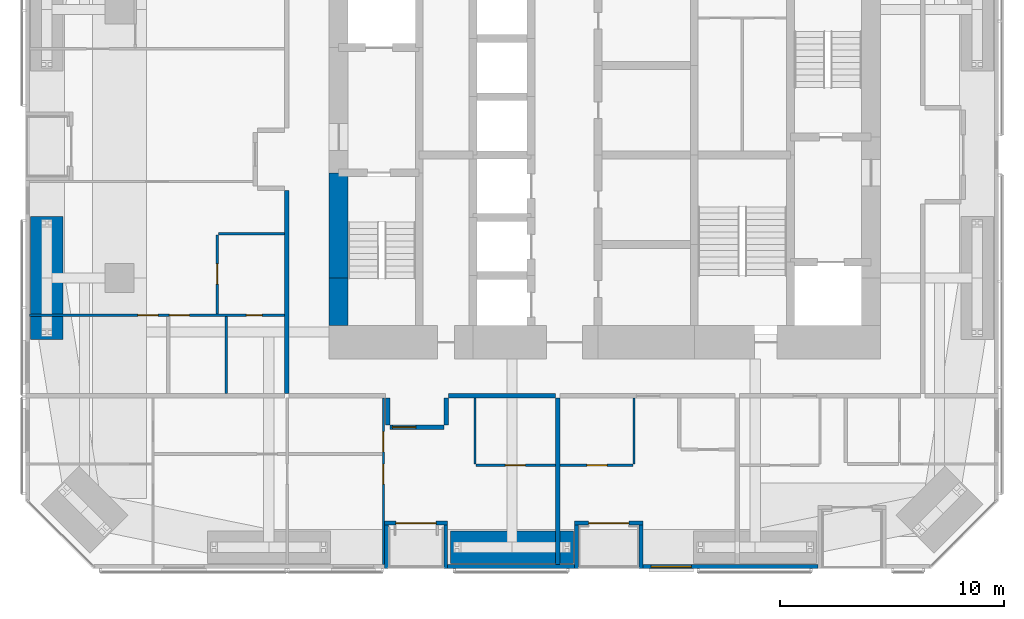
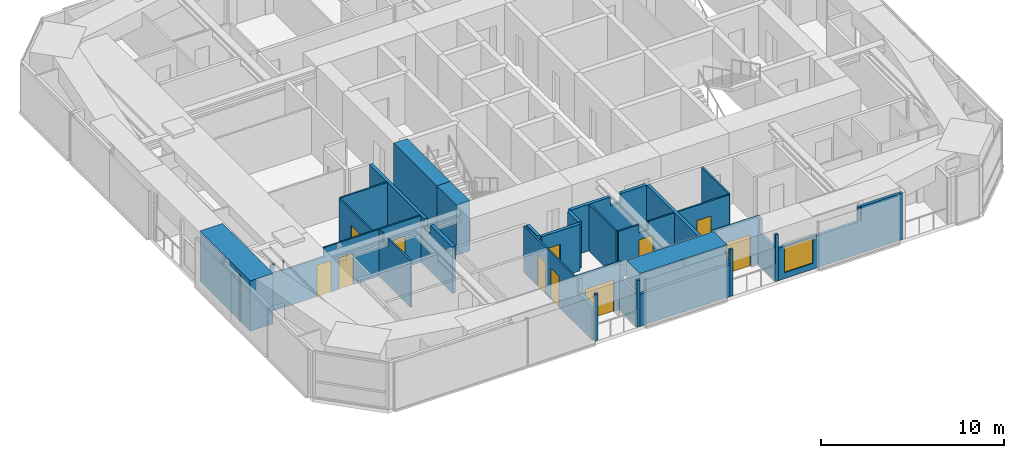
# One storey, part 17 of 24: 27 walls, 11 doors, 1 window, 12 openings.
"""IFC4 building model written with IfcOpenShell, lengths in metres."""

from ifc_helpers import new_model, si_unit, direction, frame, frame_2d, origin, place, context, subcontext, project, spatial, polyline, rectangle, outline, extrude, material, layer, layer_set, constituent, constituent_set, type_object, element, fill, save


model = new_model("IFC4")

# Units and contexts
model_context = context("Model", 3, precision=1e-05, world=origin(), true_north=direction((0.0, 1.0)))
body_context = subcontext(model_context, "Body", "Model", "MODEL_VIEW")
ifc_project = project(units=[si_unit("LENGTHUNIT", "METRE"), si_unit("AREAUNIT", "SQUARE_METRE"), si_unit("VOLUMEUNIT", "CUBIC_METRE"), si_unit("PLANEANGLEUNIT", "RADIAN"), si_unit("MASSUNIT", "GRAM", prefix="KILO")], contexts=[model_context])

# Site, building, storey
site_placement = place(None, origin())
site = spatial("IfcSite", under=ifc_project, at=site_placement, CompositionType="ELEMENT")
building_placement = place(site_placement, origin())
building = spatial("IfcBuilding", under=site, at=building_placement, Name="Jalousie Tower", CompositionType="ELEMENT")
storey_placement = place(building_placement, frame((0.0, 0.0, 91.449951171875)))
storey = spatial("IfcBuildingStorey", under=building, at=storey_placement, Name="L24", CompositionType="ELEMENT", Elevation=91.449951171875)

# Walls
ifc_material_1 = material(Name="Concrete f'c 120 MPa", Category="concrete")
ifc_layer_1 = layer(ifc_material_1, 0.85009765625)
ifc_layer_set_1 = layer_set([ifc_layer_1], Name="Concrete f'c 120 MPa")
wall_type_1 = type_object("IfcWallType", Name="CORE WALL 850", PredefinedType="SHEAR", material=ifc_layer_set_1)
wall_1_placement = place(storey_placement, frame((20.0, 17.699951171875, 0.0), z_axis=(0.0, 0.0, 1.0), x_axis=(0.0, -1.0, 0.0)))
element("IfcWall", 1, at=wall_1_placement, inside=storey, type_object=wall_type_1, Name="Core wall WC L24", PredefinedType="SHEAR", context=body_context, shape_type="SweptSolid", body=[
    extrude(rectangle(XDim=4.699951171875, YDim=0.85009765625, at=frame_2d((2.35009765625, 0.0))), origin(), (0.0, 0.0, 1.0), 3.35009765625),
])
wall_2_placement = place(storey_placement, frame((20.0, 13.0, 0.0), z_axis=(0.0, 0.0, 1.0), x_axis=(0.0, -1.0, 0.0)))
element("IfcWall", 2, at=wall_2_placement, inside=storey, type_object=wall_type_1, Name="Core wall WD L24", PredefinedType="SHEAR", context=body_context, shape_type="SweptSolid", body=[
    extrude(rectangle(XDim=2.125, YDim=0.85009765625, at=frame_2d((1.0625, 0.0))), origin(), (0.0, 0.0, 1.0), 3.35009765625),
])
ifc_material_2 = material(Name="Concrete block ASTM C90", Category="concrete")
ifc_constituent_1 = constituent(ifc_material_2, Name="Body")
ifc_material_3 = material(Name="Render")
ifc_constituent_2 = constituent(ifc_material_3, Name="Finish")
ifc_constituent_set_1 = constituent_set(constituents=[ifc_constituent_1, ifc_constituent_2])
wall_type_2 = type_object("IfcWallType", Name="CORRIDOR WALL 200", PredefinedType="PARTITIONING", material=ifc_constituent_set_1)
wall_3_placement = place(storey_placement, frame((17.675048828125, 7.824951171875, 0.0), z_axis=(0.0, 0.0, 1.0), x_axis=(0.0, 1.0, 0.0)))
element("IfcWall", 3, at=wall_3_placement, inside=storey, type_object=wall_type_2, Name="Corridor Wall 200 L24", PredefinedType="PARTITIONING", context=body_context, shape_type="SweptSolid", body=[
    extrude(outline(polyline([(0.0, 0.0), (9.074951171875, 0.0), (9.074951171875, 3.110107421875), (3.08740234375, 3.110107421875), (3.08740234375, 2.541015625), (2.41259765625, 2.541015625), (2.41259765625, 3.110107421875), (0.0, 3.110107421875), (0.0, 0.0)])), frame((0.0, 0.10009765625, 0.0), z_axis=(0.0, -1.0, 0.0), x_axis=(1.0, 0.0, 0.0)), (0.0, 0.0, 1.0), 0.199951171875),
])
wall_4_placement = place(storey_placement, frame((24.89990234375, 7.72509765625, 0.0), z_axis=(0.0, 0.0, 1.0), x_axis=(1.0, 0.0, 0.0)))
element("IfcWall", 4, at=wall_4_placement, inside=storey, type_object=wall_type_2, Name="Corridor Wall 200 L24", PredefinedType="PARTITIONING", context=body_context, shape_type="SweptSolid", body=[
    extrude(outline(polyline([(0.0, 0.0), (4.800048828125, 0.0), (4.800048828125, 3.110107421875), (3.187255859375, 3.110107421875), (3.187255859375, 2.541015625), (2.5126953125, 2.541015625), (2.5126953125, 3.110107421875), (0.0, 3.110107421875), (0.0, 0.0)])), frame((0.0, 0.10009765625, 0.0), z_axis=(0.0, -1.0, 0.0), x_axis=(1.0, 0.0, 0.0)), (0.0, 0.0, 1.0), 0.199951171875),
])

# Wall, opening, door
wall_5_placement = place(storey_placement, frame((22.300048828125, 6.324951171875, 0.0), z_axis=(0.0, 0.0, 1.0), x_axis=(1.0, 0.0, 0.0)))
wall_5 = element("IfcWall", 5, at=wall_5_placement, inside=storey, type_object=wall_type_2, Name="Corridor Wall 200 L24", PredefinedType="PARTITIONING", context=body_context, shape_type="SweptSolid", body=[
    extrude(rectangle(XDim=2.39990234375, YDim=0.199951171875, at=frame_2d((1.199951171875, 0.0))), origin(), (0.0, 0.0, 1.0), 3.110107421875),
])
opening_1_placement = place(wall_5_placement, frame((0.10009765625, 0.0, 0.0)))
opening_1 = element("IfcOpeningElement", 6, at=opening_1_placement, cuts=wall_5, Name="Opening D1", PredefinedType="OPENING", context=body_context, shape_type="SweptSolid", body=[
    extrude(rectangle(XDim=1.050048828125, YDim=2.199951171875, at=frame_2d((0.52490234375, 1.10009765625))), frame((0.0, 0.10986328125, 0.0), z_axis=(0.0, -1.0, 0.0), x_axis=(1.0, 0.0, 0.0)), (0.0, 0.0, 1.0), 0.219970703125),
])
ifc_material_4 = material(Name="Timber fire door", Category="wood")
door_type_1 = type_object("IfcDoorType", Name="APARTMENT ENTRANCE DOOR 1050", OperationType="SINGLE_SWING_LEFT", PredefinedType="DOOR", material=ifc_material_4)
door_1_placement = place(opening_1_placement, frame((1.050048828125, 0.0, 0.0), z_axis=(0.0, 0.0, 1.0), x_axis=(-1.0, 0.0, 0.0)))
door_1 = element("IfcDoor", 7, at=door_1_placement, inside=storey, type_object=door_type_1, Name="Apartment 2401 entrance", OperationType="SINGLE_SWING_RIGHT", OverallHeight=2.199951171875, OverallWidth=1.050048828125, PredefinedType="DOOR", context=body_context, shape_type="SweptSolid", body=[
    extrude(rectangle(XDim=1.050048828125, YDim=2.199951171875, at=frame_2d((0.52490234375, 1.10009765625))), frame((0.0, 0.02490234375, 0.0), z_axis=(0.0, -1.0, 0.0), x_axis=(1.0, 0.0, 0.0)), (0.0, 0.0, 1.0), 0.050048828125),
])
fill(opening_1, door_1)

# Walls
for number, where, z_axis, x_axis, name in (
    (8, (22.199951171875, 7.625, 0.0), (0.0, 0.0, 1.0), (0.0, -1.0, 0.0), "Corridor Wall 200 L24"),
    (9, (24.800048828125, 7.625, 0.0), (0.0, 0.0, 1.0), (0.0, -1.0, 0.0), "Corridor Wall 200 L24"),
):
    element("IfcWall", number, at=place(storey_placement, frame(where, z_axis=z_axis, x_axis=x_axis)), inside=storey, type_object=wall_type_2, Name=name, PredefinedType="PARTITIONING", context=body_context, shape_type="SweptSolid", body=[
        extrude(rectangle(XDim=1.199951171875, YDim=0.199951171875, at=frame_2d((0.60009765625, 0.0))), origin(), (0.0, 0.0, 1.0), 3.110107421875),
    ])
ifc_material_5 = material(Name="Concrete f'c 40 MPa", Category="concrete")
ifc_constituent_3 = constituent(ifc_material_5, Name="Body")
ifc_material_6 = material(Name="Render, pastel sea green")
ifc_constituent_4 = constituent(ifc_material_6, Name="Finish")
ifc_constituent_set_2 = constituent_set(constituents=[ifc_constituent_3, ifc_constituent_4])
wall_type_3 = type_object("IfcWallType", Name="EXTERNAL WALL 175 SEA GREEN RENDER", PredefinedType="SOLIDWALL", material=ifc_constituent_set_2)
wall_6_placement = place(storey_placement, frame((24.875, 0.08740234375, 0.0), z_axis=(0.0, 0.0, 1.0), x_axis=(1.0, 0.0, 0.0)))
element("IfcWall", 10, at=wall_6_placement, inside=storey, type_object=wall_type_3, Name="External Wall 175 Sea Green Render L24", PredefinedType="SOLIDWALL", context=body_context, shape_type="SweptSolid", body=[
    extrude(rectangle(XDim=5.675048828125, YDim=0.175048828125, at=frame_2d((2.83740234375, 0.0))), origin(), (0.0, 0.0, 1.0), 2.150146484375),
])

# Wall, opening, window
wall_7_placement = place(storey_placement, frame((33.60009765625, 0.08740234375, 0.0), z_axis=(0.0, 0.0, 1.0), x_axis=(1.0, 0.0, 0.0)))
wall_7 = element("IfcWall", 11, at=wall_7_placement, inside=storey, type_object=wall_type_3, Name="External Wall 175 Sea Green Render L24", PredefinedType="SOLIDWALL", context=body_context, shape_type="SweptSolid", body=[
    extrude(outline(polyline([(0.0, 0.0), (7.824951171875, 0.0), (7.824951171875, 3.110107421875), (5.228271484375, 3.110107421875), (5.228271484375, 2.150146484375), (5.18310546875, 2.150146484375), (5.18310546875, 3.110107421875), (5.02490234375, 3.110107421875), (5.02490234375, 2.150146484375), (0.0, 2.150146484375), (0.0, 0.0)])), frame((0.0, 0.08740234375, 0.0), z_axis=(0.0, -1.0, 0.0), x_axis=(1.0, 0.0, 0.0)), (0.0, 0.0, 1.0), 0.175048828125),
])
opening_2_placement = place(wall_7_placement, frame((0.375, 0.0, 0.39990234375)))
opening_2 = element("IfcOpeningElement", 12, at=opening_2_placement, cuts=wall_7, Name="Opening W-BED170", PredefinedType="OPENING", context=body_context, shape_type="SweptSolid", body=[
    extrude(rectangle(XDim=1.800048828125, YDim=1.699951171875, at=frame_2d((0.89990234375, 0.85009765625))), frame((0.0, 0.097412109375, 0.0), z_axis=(0.0, -1.0, 0.0), x_axis=(1.0, 0.0, 0.0)), (0.0, 0.0, 1.0), 0.195068359375),
])
ifc_material_7 = material(Name="Aluminium frame, impact-rated glazing", Category="aluminium")
window_type = type_object("IfcWindowType", Name="WINDOW BED 1800x1700", PartitioningType="SINGLE_PANEL", PredefinedType="WINDOW", material=ifc_material_7)
window_placement = place(opening_2_placement, origin())
window = element("IfcWindow", 13, at=window_placement, inside=storey, type_object=window_type, Name="Apartment 2402 studio living and sleeping room window", OverallHeight=1.699951171875, OverallWidth=1.800048828125, PartitioningType="SINGLE_PANEL", PredefinedType="WINDOW", context=body_context, shape_type="SweptSolid", body=[
    extrude(rectangle(XDim=1.800048828125, YDim=1.699951171875, at=frame_2d((0.89990234375, 0.85009765625))), frame((0.0, 0.030029296875, 0.0), z_axis=(0.0, -1.0, 0.0), x_axis=(1.0, 0.0, 0.0)), (0.0, 0.0, 1.0), 0.06005859375),
])
fill(opening_2, window)

# Wall, opening, door
wall_8_placement = place(storey_placement, frame((22.050048828125, 2.03759765625, 0.0), z_axis=(0.0, 0.0, 1.0), x_axis=(1.0, 0.0, 0.0)))
wall_8 = element("IfcWall", 14, at=wall_8_placement, inside=storey, type_object=wall_type_3, Name="External Wall 175 Sea Green Render L24", PredefinedType="SOLIDWALL", context=body_context, shape_type="SweptSolid", body=[
    extrude(rectangle(XDim=2.824951171875, YDim=0.175048828125, at=frame_2d((1.41259765625, 0.0))), origin(), (0.0, 0.0, 1.0), 3.110107421875),
])
opening_3_placement = place(wall_8_placement, frame((0.512451171875, 0.0, 0.0)))
opening_3 = element("IfcOpeningElement", 15, at=opening_3_placement, cuts=wall_8, Name="Opening D-BAL21", PredefinedType="OPENING", context=body_context, shape_type="SweptSolid", body=[
    extrude(rectangle(XDim=1.800048828125, YDim=2.10009765625, at=frame_2d((0.89990234375, 1.050048828125))), frame((0.0, 0.097412109375, 0.0), z_axis=(0.0, -1.0, 0.0), x_axis=(1.0, 0.0, 0.0)), (0.0, 0.0, 1.0), 0.195068359375),
])
ifc_material_8 = material(Name="Aluminium frame, impact-rated glazing", Category="aluminium")
door_type_2 = type_object("IfcDoorType", Name="BALCONY DOOR 1800x2100", OperationType="SLIDING_TO_LEFT", PredefinedType="DOOR", material=ifc_material_8)
door_2_placement = place(opening_3_placement, origin())
door_2 = element("IfcDoor", 16, at=door_2_placement, inside=storey, type_object=door_type_2, Name="Apartment 2401 living and dining room loggia door", OperationType="SLIDING_TO_LEFT", OverallHeight=2.10009765625, OverallWidth=1.800048828125, PredefinedType="DOOR", context=body_context, shape_type="SweptSolid", body=[
    extrude(rectangle(XDim=1.800048828125, YDim=2.10009765625, at=frame_2d((0.89990234375, 1.050048828125))), frame((0.0, 0.02490234375, 0.0), z_axis=(0.0, -1.0, 0.0), x_axis=(1.0, 0.0, 0.0)), (0.0, 0.0, 1.0), 0.050048828125),
])
fill(opening_3, door_2)

# Walls
for number, where, z_axis, x_axis, name in (
    (17, (22.137451171875, 0.0, 0.0), (0.0, 0.0, 1.0), (0.0, 1.0, 0.0), "External Wall 175 Sea Green Render L24"),
    (18, (24.78759765625, 0.0, 0.0), (0.0, 0.0, 1.0), (0.0, 1.0, 0.0), "External Wall 175 Sea Green Render L24"),
):
    element("IfcWall", number, at=place(storey_placement, frame(where, z_axis=z_axis, x_axis=x_axis)), inside=storey, type_object=wall_type_3, Name=name, PredefinedType="SOLIDWALL", context=body_context, shape_type="SweptSolid", body=[
        extrude(outline(polyline([(0.0, 0.0), (1.949951171875, 0.0), (1.949951171875, 3.110107421875), (1.75, 3.110107421875), (1.75, 2.150146484375), (0.14990234375, 2.150146484375), (0.14990234375, 3.110107421875), (0.0, 3.110107421875), (0.0, 0.0)])), frame((0.0, 0.08740234375, 0.0), z_axis=(0.0, -1.0, 0.0), x_axis=(1.0, 0.0, 0.0)), (0.0, 0.0, 1.0), 0.175048828125),
    ])

# Wall, opening, door
wall_9_placement = place(storey_placement, frame((30.550048828125, 2.03759765625, 0.0), z_axis=(0.0, 0.0, 1.0), x_axis=(1.0, 0.0, 0.0)))
wall_9 = element("IfcWall", 19, at=wall_9_placement, inside=storey, type_object=wall_type_3, Name="External Wall 175 Sea Green Render L24", PredefinedType="SOLIDWALL", context=body_context, shape_type="SweptSolid", body=[
    extrude(rectangle(XDim=3.050048828125, YDim=0.175048828125, at=frame_2d((1.52490234375, 0.0))), origin(), (0.0, 0.0, 1.0), 3.110107421875),
])
opening_4_placement = place(wall_9_placement, frame((0.625, 0.0, 0.0)))
opening_4 = element("IfcOpeningElement", 20, at=opening_4_placement, cuts=wall_9, Name="Opening D-BAL21", PredefinedType="OPENING", context=body_context, shape_type="SweptSolid", body=[
    extrude(rectangle(XDim=1.800048828125, YDim=2.10009765625, at=frame_2d((0.89990234375, 1.050048828125))), frame((0.0, 0.097412109375, 0.0), z_axis=(0.0, -1.0, 0.0), x_axis=(1.0, 0.0, 0.0)), (0.0, 0.0, 1.0), 0.195068359375),
])
door_3_placement = place(opening_4_placement, origin())
door_3 = element("IfcDoor", 21, at=door_3_placement, inside=storey, type_object=door_type_2, Name="Apartment 2402 studio living and sleeping room loggia door", OperationType="SLIDING_TO_LEFT", OverallHeight=2.10009765625, OverallWidth=1.800048828125, PredefinedType="DOOR", context=body_context, shape_type="SweptSolid", body=[
    extrude(rectangle(XDim=1.800048828125, YDim=2.10009765625, at=frame_2d((0.89990234375, 1.050048828125))), frame((0.0, 0.02490234375, 0.0), z_axis=(0.0, -1.0, 0.0), x_axis=(1.0, 0.0, 0.0)), (0.0, 0.0, 1.0), 0.050048828125),
])
fill(opening_4, door_3)

# Walls
for number, where, z_axis, x_axis, name in (
    (22, (30.637451171875, 0.0, 0.0), (0.0, 0.0, 1.0), (0.0, 1.0, 0.0), "External Wall 175 Sea Green Render L24"),
    (23, (33.512451171875, 0.0, 0.0), (0.0, 0.0, 1.0), (0.0, 1.0, 0.0), "External Wall 175 Sea Green Render L24"),
):
    element("IfcWall", number, at=place(storey_placement, frame(where, z_axis=z_axis, x_axis=x_axis)), inside=storey, type_object=wall_type_3, Name=name, PredefinedType="SOLIDWALL", context=body_context, shape_type="SweptSolid", body=[
        extrude(outline(polyline([(0.0, 0.0), (1.949951171875, 0.0), (1.949951171875, 3.110107421875), (1.75, 3.110107421875), (1.75, 2.150146484375), (0.14990234375, 2.150146484375), (0.14990234375, 3.110107421875), (0.0, 3.110107421875), (0.0, 0.0)])), frame((0.0, 0.08740234375, 0.0), z_axis=(0.0, -1.0, 0.0), x_axis=(1.0, 0.0, 0.0)), (0.0, 0.0, 1.0), 0.175048828125),
    ])

# Wall, openings, doors
ifc_material_9 = material(Name="Gypsum board", Category="gypsum")
ifc_constituent_5 = constituent(ifc_material_9, Name="Body")
ifc_material_10 = material(Name="Light-gauge steel studs ASTM A653 SS Grade 33", Category="steel")
ifc_constituent_6 = constituent(ifc_material_10, Name="Framing")
ifc_constituent_set_3 = constituent_set(constituents=[ifc_constituent_5, ifc_constituent_6])
wall_type_4 = type_object("IfcWallType", Name="PARTITION 100", PredefinedType="PARTITIONING", material=ifc_constituent_set_3)
wall_10_placement = place(storey_placement, frame((22.0, 0.175048828125, 0.0), z_axis=(0.0, 0.0, 1.0), x_axis=(0.0, 1.0, 0.0)))
wall_10 = element("IfcWall", 24, at=wall_10_placement, inside=storey, type_object=wall_type_4, Name="Partition 100 L24", PredefinedType="PARTITIONING", context=body_context, shape_type="SweptSolid", body=[
    extrude(outline(polyline([(0.0, 0.0), (7.449951171875, 0.0), (7.449951171875, 3.110107421875), (1.635009765625, 3.110107421875), (1.635009765625, 2.150146484375), (0.0, 2.150146484375), (0.0, 3.110107421875), (0.0, 0.0)])), frame((0.0, 0.050048828125, 0.0), z_axis=(0.0, -1.0, 0.0), x_axis=(1.0, 0.0, 0.0)), (0.0, 0.0, 1.0), 0.10009765625),
])
opening_5_placement = place(wall_10_placement, frame((3.60009765625, 0.0, 0.0)))
opening_5 = element("IfcOpeningElement", 25, at=opening_5_placement, cuts=wall_10, Name="Opening D2", PredefinedType="OPENING", context=body_context, shape_type="SweptSolid", body=[
    extrude(rectangle(XDim=0.89990234375, YDim=2.10009765625, at=frame_2d((0.449951171875, 1.050048828125))), frame((0.0, 0.06005859375, 0.0), z_axis=(0.0, -1.0, 0.0), x_axis=(1.0, 0.0, 0.0)), (0.0, 0.0, 1.0), 0.1201171875),
])
opening_6_placement = place(wall_10_placement, frame((5.050048828125, 0.0, 0.0)))
opening_6 = element("IfcOpeningElement", 26, at=opening_6_placement, cuts=wall_10, Name="Opening D7", PredefinedType="OPENING", context=body_context, shape_type="SweptSolid", body=[
    extrude(rectangle(XDim=0.89990234375, YDim=2.10009765625, at=frame_2d((0.449951171875, 1.050048828125))), frame((0.0, 0.06005859375, 0.0), z_axis=(0.0, -1.0, 0.0), x_axis=(1.0, 0.0, 0.0)), (0.0, 0.0, 1.0), 0.1201171875),
])
ifc_material_11 = material(Name="Timber door", Category="wood")
door_type_3 = type_object("IfcDoorType", Name="BEDROOM DOOR 900", OperationType="SINGLE_SWING_LEFT", PredefinedType="DOOR", material=ifc_material_11)
door_4_placement = place(opening_5_placement, origin())
door_4 = element("IfcDoor", 27, at=door_4_placement, inside=storey, type_object=door_type_3, Name="Apartment 2401 bedroom 3 door", OperationType="SINGLE_SWING_RIGHT", OverallHeight=2.10009765625, OverallWidth=0.89990234375, PredefinedType="DOOR", context=body_context, shape_type="SweptSolid", body=[
    extrude(rectangle(XDim=0.89990234375, YDim=2.10009765625, at=frame_2d((0.449951171875, 1.050048828125))), frame((0.0, 0.02490234375, 0.0), z_axis=(0.0, -1.0, 0.0), x_axis=(1.0, 0.0, 0.0)), (0.0, 0.0, 1.0), 0.050048828125),
])
fill(opening_5, door_4)
ifc_material_12 = material(Name="Timber door", Category="wood")
door_type_4 = type_object("IfcDoorType", Name="INTERNAL DOOR 900", OperationType="SINGLE_SWING_LEFT", PredefinedType="DOOR", material=ifc_material_12)
door_5_placement = place(opening_6_placement, origin())
door_5 = element("IfcDoor", 28, at=door_5_placement, inside=storey, type_object=door_type_4, Name="Apartment 2401 bathroom door", OperationType="SINGLE_SWING_LEFT", OverallHeight=2.10009765625, OverallWidth=0.89990234375, PredefinedType="DOOR", context=body_context, shape_type="SweptSolid", body=[
    extrude(rectangle(XDim=0.89990234375, YDim=2.10009765625, at=frame_2d((0.449951171875, 1.050048828125))), frame((0.0, 0.02490234375, 0.0), z_axis=(0.0, -1.0, 0.0), x_axis=(1.0, 0.0, 0.0)), (0.0, 0.0, 1.0), 0.050048828125),
])
fill(opening_6, door_5)

# Wall, opening, door
wall_11_placement = place(storey_placement, frame((26.14990234375, 4.625, 0.0), z_axis=(0.0, 0.0, 1.0), x_axis=(1.0, 0.0, 0.0)))
wall_11 = element("IfcWall", 29, at=wall_11_placement, inside=storey, type_object=wall_type_4, Name="Partition 100 L24", PredefinedType="PARTITIONING", context=body_context, shape_type="SweptSolid", body=[
    extrude(outline(polyline([(0.0, 0.0), (3.550048828125, 0.0), (3.550048828125, 3.110107421875), (1.88720703125, 3.110107421875), (1.88720703125, 2.541015625), (1.3125, 2.541015625), (1.3125, 3.110107421875), (0.0, 3.110107421875), (0.0, 0.0)])), frame((0.0, 0.050048828125, 0.0), z_axis=(0.0, -1.0, 0.0), x_axis=(1.0, 0.0, 0.0)), (0.0, 0.0, 1.0), 0.10009765625),
])
opening_7_placement = place(wall_11_placement, frame((1.300048828125, 0.0, 0.0)))
opening_7 = element("IfcOpeningElement", 30, at=opening_7_placement, cuts=wall_11, Name="Opening D7", PredefinedType="OPENING", context=body_context, shape_type="SweptSolid", body=[
    extrude(rectangle(XDim=0.89990234375, YDim=2.10009765625, at=frame_2d((0.449951171875, 1.050048828125))), frame((0.0, 0.06005859375, 0.0), z_axis=(0.0, -1.0, 0.0), x_axis=(1.0, 0.0, 0.0)), (0.0, 0.0, 1.0), 0.1201171875),
])
door_6_placement = place(opening_7_placement, frame((0.89990234375, 0.0, 0.0), z_axis=(0.0, 0.0, 1.0), x_axis=(-1.0, 0.0, 0.0)))
door_6 = element("IfcDoor", 31, at=door_6_placement, inside=storey, type_object=door_type_4, Name="Apartment 2401 kitchen door", OperationType="SINGLE_SWING_LEFT", OverallHeight=2.10009765625, OverallWidth=0.89990234375, PredefinedType="DOOR", context=body_context, shape_type="SweptSolid", body=[
    extrude(rectangle(XDim=0.89990234375, YDim=2.10009765625, at=frame_2d((0.449951171875, 1.050048828125))), frame((0.0, 0.02490234375, 0.0), z_axis=(0.0, -1.0, 0.0), x_axis=(1.0, 0.0, 0.0)), (0.0, 0.0, 1.0), 0.050048828125),
])
fill(opening_7, door_6)

# Wall
wall_12_placement = place(storey_placement, frame((26.10009765625, 4.675048828125, 0.0), z_axis=(0.0, 0.0, 1.0), x_axis=(0.0, 1.0, 0.0)))
element("IfcWall", 32, at=wall_12_placement, inside=storey, type_object=wall_type_4, Name="Partition 100 L24", PredefinedType="PARTITIONING", context=body_context, shape_type="SweptSolid", body=[
    extrude(rectangle(XDim=2.949951171875, YDim=0.10009765625, at=frame_2d((1.47509765625, 0.0))), origin(), (0.0, 0.0, 1.0), 3.110107421875),
])

# Wall, opening, door
wall_13_placement = place(storey_placement, frame((29.89990234375, 4.625, 0.0), z_axis=(0.0, 0.0, 1.0), x_axis=(1.0, 0.0, 0.0)))
wall_13 = element("IfcWall", 33, at=wall_13_placement, inside=storey, type_object=wall_type_4, Name="Partition 100 L24", PredefinedType="PARTITIONING", context=body_context, shape_type="SweptSolid", body=[
    extrude(rectangle(XDim=3.25, YDim=0.10009765625, at=frame_2d((1.625, 0.0))), origin(), (0.0, 0.0, 1.0), 3.110107421875),
])
opening_8_placement = place(wall_13_placement, frame((1.199951171875, 0.0, 0.0)))
opening_8 = element("IfcOpeningElement", 34, at=opening_8_placement, cuts=wall_13, Name="Opening D7", PredefinedType="OPENING", context=body_context, shape_type="SweptSolid", body=[
    extrude(rectangle(XDim=0.89990234375, YDim=2.10009765625, at=frame_2d((0.449951171875, 1.050048828125))), frame((0.0, 0.06005859375, 0.0), z_axis=(0.0, -1.0, 0.0), x_axis=(1.0, 0.0, 0.0)), (0.0, 0.0, 1.0), 0.1201171875),
])
door_7_placement = place(opening_8_placement, origin())
door_7 = element("IfcDoor", 35, at=door_7_placement, inside=storey, type_object=door_type_4, Name="Apartment 2402 kitchen door", OperationType="SINGLE_SWING_RIGHT", OverallHeight=2.10009765625, OverallWidth=0.89990234375, PredefinedType="DOOR", context=body_context, shape_type="SweptSolid", body=[
    extrude(rectangle(XDim=0.89990234375, YDim=2.10009765625, at=frame_2d((0.449951171875, 1.050048828125))), frame((0.0, 0.02490234375, 0.0), z_axis=(0.0, -1.0, 0.0), x_axis=(1.0, 0.0, 0.0)), (0.0, 0.0, 1.0), 0.050048828125),
])
fill(opening_8, door_7)

# Wall
wall_14_placement = place(storey_placement, frame((33.199951171875, 4.675048828125, 0.0), z_axis=(0.0, 0.0, 1.0), x_axis=(0.0, 1.0, 0.0)))
element("IfcWall", 36, at=wall_14_placement, inside=storey, type_object=wall_type_4, Name="Partition 100 L24", PredefinedType="PARTITIONING", context=body_context, shape_type="SweptSolid", body=[
    extrude(rectangle(XDim=2.949951171875, YDim=0.10009765625, at=frame_2d((1.47509765625, 0.0))), origin(), (0.0, 0.0, 1.0), 3.110107421875),
])

# Wall, openings, doors
wall_15_placement = place(storey_placement, frame((6.175048828125, 11.324951171875, 0.0), z_axis=(0.0, 0.0, 1.0), x_axis=(1.0, 0.0, 0.0)))
wall_15 = element("IfcWall", 37, at=wall_15_placement, inside=storey, type_object=wall_type_4, Name="Partition 100 L24", PredefinedType="PARTITIONING", context=body_context, shape_type="SweptSolid", body=[
    extrude(outline(polyline([(0.17529296875, 3.110107421875), (0.0, 3.110107421875), (0.0, 0.0), (0.52880859375, 0.0), (0.52880859375, 0.324951171875), (1.021240234375, 0.324951171875), (1.021240234375, 0.0), (11.39990234375, 0.0), (11.39990234375, 3.110107421875), (5.284912109375, 3.110107421875), (5.284912109375, 2.510009765625), (2.764892578125, 2.510009765625), (2.764892578125, 3.110107421875), (2.74365234375, 3.110107421875), (2.74365234375, 2.541015625), (2.1689453125, 2.541015625), (2.1689453125, 3.110107421875), (1.91796875, 3.110107421875), (1.91796875, 2.150146484375), (1.021240234375, 2.150146484375), (1.021240234375, 1.8251953125), (0.52880859375, 1.8251953125), (0.52880859375, 2.150146484375), (0.17529296875, 2.150146484375), (0.17529296875, 3.110107421875)])), frame((0.0, 0.050048828125, 0.0), z_axis=(0.0, -1.0, 0.0), x_axis=(1.0, 0.0, 0.0)), (0.0, 0.0, 1.0), 0.10009765625),
])
opening_9_placement = place(wall_15_placement, frame((4.85009765625, 0.0, 0.0)))
opening_9 = element("IfcOpeningElement", 38, at=opening_9_placement, cuts=wall_15, Name="Opening D2", PredefinedType="OPENING", context=body_context, shape_type="SweptSolid", body=[
    extrude(rectangle(XDim=0.89990234375, YDim=2.10009765625, at=frame_2d((0.449951171875, 1.050048828125))), frame((0.0, 0.06005859375, 0.0), z_axis=(0.0, -1.0, 0.0), x_axis=(1.0, 0.0, 0.0)), (0.0, 0.0, 1.0), 0.1201171875),
])
opening_10_placement = place(wall_15_placement, frame((6.25, 0.0, 0.0)))
opening_10 = element("IfcOpeningElement", 39, at=opening_10_placement, cuts=wall_15, Name="Opening D7", PredefinedType="OPENING", context=body_context, shape_type="SweptSolid", body=[
    extrude(rectangle(XDim=0.89990234375, YDim=2.10009765625, at=frame_2d((0.449951171875, 1.050048828125))), frame((0.0, 0.06005859375, 0.0), z_axis=(0.0, -1.0, 0.0), x_axis=(1.0, 0.0, 0.0)), (0.0, 0.0, 1.0), 0.1201171875),
])
opening_11_placement = place(wall_15_placement, frame((9.699951171875, 0.0, 0.0)))
opening_11 = element("IfcOpeningElement", 40, at=opening_11_placement, cuts=wall_15, Name="Opening D4", PredefinedType="OPENING", context=body_context, shape_type="SweptSolid", body=[
    extrude(rectangle(XDim=0.699951171875, YDim=2.10009765625, at=frame_2d((0.35009765625, 1.050048828125))), frame((0.0, 0.06005859375, 0.0), z_axis=(0.0, -1.0, 0.0), x_axis=(1.0, 0.0, 0.0)), (0.0, 0.0, 1.0), 0.1201171875),
])
door_8_placement = place(opening_9_placement, frame((0.89990234375, 0.0, 0.0), z_axis=(0.0, 0.0, 1.0), x_axis=(-1.0, 0.0, 0.0)))
door_8 = element("IfcDoor", 41, at=door_8_placement, inside=storey, type_object=door_type_3, Name="Apartment 2407 bedroom 1 door", OperationType="SINGLE_SWING_LEFT", OverallHeight=2.10009765625, OverallWidth=0.89990234375, PredefinedType="DOOR", context=body_context, shape_type="SweptSolid", body=[
    extrude(rectangle(XDim=0.89990234375, YDim=2.10009765625, at=frame_2d((0.449951171875, 1.050048828125))), frame((0.0, 0.02490234375, 0.0), z_axis=(0.0, -1.0, 0.0), x_axis=(1.0, 0.0, 0.0)), (0.0, 0.0, 1.0), 0.050048828125),
])
fill(opening_9, door_8)
door_9_placement = place(opening_10_placement, frame((0.89990234375, 0.0, 0.0), z_axis=(0.0, 0.0, 1.0), x_axis=(-1.0, 0.0, 0.0)))
door_9 = element("IfcDoor", 42, at=door_9_placement, inside=storey, type_object=door_type_4, Name="Apartment 2407 bathroom door", OperationType="SINGLE_SWING_RIGHT", OverallHeight=2.10009765625, OverallWidth=0.89990234375, PredefinedType="DOOR", context=body_context, shape_type="SweptSolid", body=[
    extrude(rectangle(XDim=0.89990234375, YDim=2.10009765625, at=frame_2d((0.449951171875, 1.050048828125))), frame((0.0, 0.02490234375, 0.0), z_axis=(0.0, -1.0, 0.0), x_axis=(1.0, 0.0, 0.0)), (0.0, 0.0, 1.0), 0.050048828125),
])
fill(opening_10, door_9)
ifc_material_13 = material(Name="Timber door", Category="wood")
door_type_5 = type_object("IfcDoorType", Name="STORE DOOR 700", OperationType="SINGLE_SWING_LEFT", PredefinedType="DOOR", material=ifc_material_13)
door_10_placement = place(opening_11_placement, frame((0.699951171875, 0.0, 0.0), z_axis=(0.0, 0.0, 1.0), x_axis=(-1.0, 0.0, 0.0)))
door_10 = element("IfcDoor", 43, at=door_10_placement, inside=storey, type_object=door_type_5, Name="Apartment 2407 store door", OperationType="SINGLE_SWING_RIGHT", OverallHeight=2.10009765625, OverallWidth=0.699951171875, PredefinedType="DOOR", context=body_context, shape_type="SweptSolid", body=[
    extrude(rectangle(XDim=0.699951171875, YDim=2.10009765625, at=frame_2d((0.35009765625, 1.050048828125))), frame((0.0, 0.02490234375, 0.0), z_axis=(0.0, -1.0, 0.0), x_axis=(1.0, 0.0, 0.0)), (0.0, 0.0, 1.0), 0.050048828125),
])
fill(opening_11, door_10)

# Wall
wall_16_placement = place(storey_placement, frame((14.97509765625, 7.824951171875, 0.0), z_axis=(0.0, 0.0, 1.0), x_axis=(0.0, 1.0, 0.0)))
element("IfcWall", 44, at=wall_16_placement, inside=storey, type_object=wall_type_4, Name="Partition 100 L24", PredefinedType="PARTITIONING", context=body_context, shape_type="SweptSolid", body=[
    extrude(outline(polyline([(0.0, 0.0), (3.449951171875, 0.0), (3.449951171875, 3.110107421875), (3.037353515625, 3.110107421875), (3.037353515625, 2.541015625), (2.462646484375, 2.541015625), (2.462646484375, 3.110107421875), (0.0, 3.110107421875), (0.0, 0.0)])), frame((0.0, 0.050048828125, 0.0), z_axis=(0.0, -1.0, 0.0), x_axis=(1.0, 0.0, 0.0)), (0.0, 0.0, 1.0), 0.10009765625),
])

# Wall, opening, door
wall_17_placement = place(storey_placement, frame((14.574951171875, 11.375, 0.0), z_axis=(0.0, 0.0, 1.0), x_axis=(0.0, 1.0, 0.0)))
wall_17 = element("IfcWall", 45, at=wall_17_placement, inside=storey, type_object=wall_type_4, Name="Partition 100 L24", PredefinedType="PARTITIONING", context=body_context, shape_type="SweptSolid", body=[
    extrude(rectangle(XDim=3.550048828125, YDim=0.10009765625, at=frame_2d((1.77490234375, 0.0))), origin(), (0.0, 0.0, 1.0), 3.110107421875),
])
opening_12_placement = place(wall_17_placement, frame((1.35009765625, 0.0, 0.0)))
opening_12 = element("IfcOpeningElement", 46, at=opening_12_placement, cuts=wall_17, Name="Opening D7", PredefinedType="OPENING", context=body_context, shape_type="SweptSolid", body=[
    extrude(rectangle(XDim=0.89990234375, YDim=2.10009765625, at=frame_2d((0.449951171875, 1.050048828125))), frame((0.0, 0.06005859375, 0.0), z_axis=(0.0, -1.0, 0.0), x_axis=(1.0, 0.0, 0.0)), (0.0, 0.0, 1.0), 0.1201171875),
])
door_11_placement = place(opening_12_placement, origin())
door_11 = element("IfcDoor", 47, at=door_11_placement, inside=storey, type_object=door_type_4, Name="Apartment 2407 kitchen door", OperationType="SINGLE_SWING_LEFT", OverallHeight=2.10009765625, OverallWidth=0.89990234375, PredefinedType="DOOR", context=body_context, shape_type="SweptSolid", body=[
    extrude(rectangle(XDim=0.89990234375, YDim=2.10009765625, at=frame_2d((0.449951171875, 1.050048828125))), frame((0.0, 0.02490234375, 0.0), z_axis=(0.0, -1.0, 0.0), x_axis=(1.0, 0.0, 0.0)), (0.0, 0.0, 1.0), 0.050048828125),
])
fill(opening_12, door_11)

# Walls
wall_18_placement = place(storey_placement, frame((14.625, 14.97509765625, 0.0), z_axis=(0.0, 0.0, 1.0), x_axis=(1.0, 0.0, 0.0)))
element("IfcWall", 48, at=wall_18_placement, inside=storey, type_object=wall_type_4, Name="Partition 100 L24", PredefinedType="PARTITIONING", context=body_context, shape_type="SweptSolid", body=[
    extrude(rectangle(XDim=2.949951171875, YDim=0.10009765625, at=frame_2d((1.47509765625, 0.0))), origin(), (0.0, 0.0, 1.0), 3.110107421875),
])
ifc_material_14 = material(Name="Concrete block ASTM C90", Category="concrete")
ifc_constituent_7 = constituent(ifc_material_14, Name="Body")
ifc_material_15 = material(Name="Render")
ifc_constituent_8 = constituent(ifc_material_15, Name="Finish")
ifc_constituent_set_4 = constituent_set(constituents=[ifc_constituent_7, ifc_constituent_8])
wall_type_5 = type_object("IfcWallType", Name="PARTY WALL 200", PredefinedType="PARTITIONING", material=ifc_constituent_set_4)
wall_19_placement = place(storey_placement, frame((29.800048828125, 0.175048828125, 0.0), z_axis=(0.0, 0.0, 1.0), x_axis=(0.0, 1.0, 0.0)))
element("IfcWall", 49, at=wall_19_placement, inside=storey, type_object=wall_type_5, Name="Party Wall 200 L24", PredefinedType="PARTITIONING", context=body_context, shape_type="SweptSolid", body=[
    extrude(outline(polyline([(0.52880859375, 2.150146484375), (0.0, 2.150146484375), (0.0, 0.0), (0.52880859375, 0.0), (0.52880859375, 0.1025390625), (1.021240234375, 0.1025390625), (1.021240234375, 0.0), (7.449951171875, 0.0), (7.449951171875, 3.110107421875), (1.68505859375, 3.110107421875), (1.68505859375, 2.150146484375), (1.021240234375, 2.150146484375), (1.021240234375, 2.04736328125), (0.52880859375, 2.04736328125), (0.52880859375, 2.150146484375)])), frame((0.0, 0.10009765625, 0.0), z_axis=(0.0, -1.0, 0.0), x_axis=(1.0, 0.0, 0.0)), (0.0, 0.0, 1.0), 0.199951171875),
])
ifc_material_16 = material(Name="Concrete f'c 120 MPa", Category="concrete")
ifc_layer_2 = layer(ifc_material_16, 1.449951171875)
ifc_layer_set_2 = layer_set([ifc_layer_2], Name="Concrete f'c 120 MPa")
wall_type_6 = type_object("IfcWallType", Name="RC WALL PIER 1450", PredefinedType="SHEAR", material=ifc_layer_set_2)
for number, where, z_axis, x_axis, name in (
    (50, (25.0, 0.949951171875, 0.0), (0.0, 0.0, 1.0), (1.0, 0.0, 0.0), "Wall pier 03 L24"),
    (51, (6.949951171875, 10.25, 0.0), (0.0, 0.0, 1.0), (0.0, 1.0, 0.0), "Wall pier 14 L24"),
):
    element("IfcWall", number, at=place(storey_placement, frame(where, z_axis=z_axis, x_axis=x_axis)), inside=storey, type_object=wall_type_6, Name=name, PredefinedType="SHEAR", context=body_context, shape_type="SweptSolid", body=[
        extrude(rectangle(XDim=5.5, YDim=1.449951171875, at=frame_2d((2.75, 0.0))), origin(), (0.0, 0.0, 1.0), 3.35009765625),
    ])

save(model, "model.ifc")
